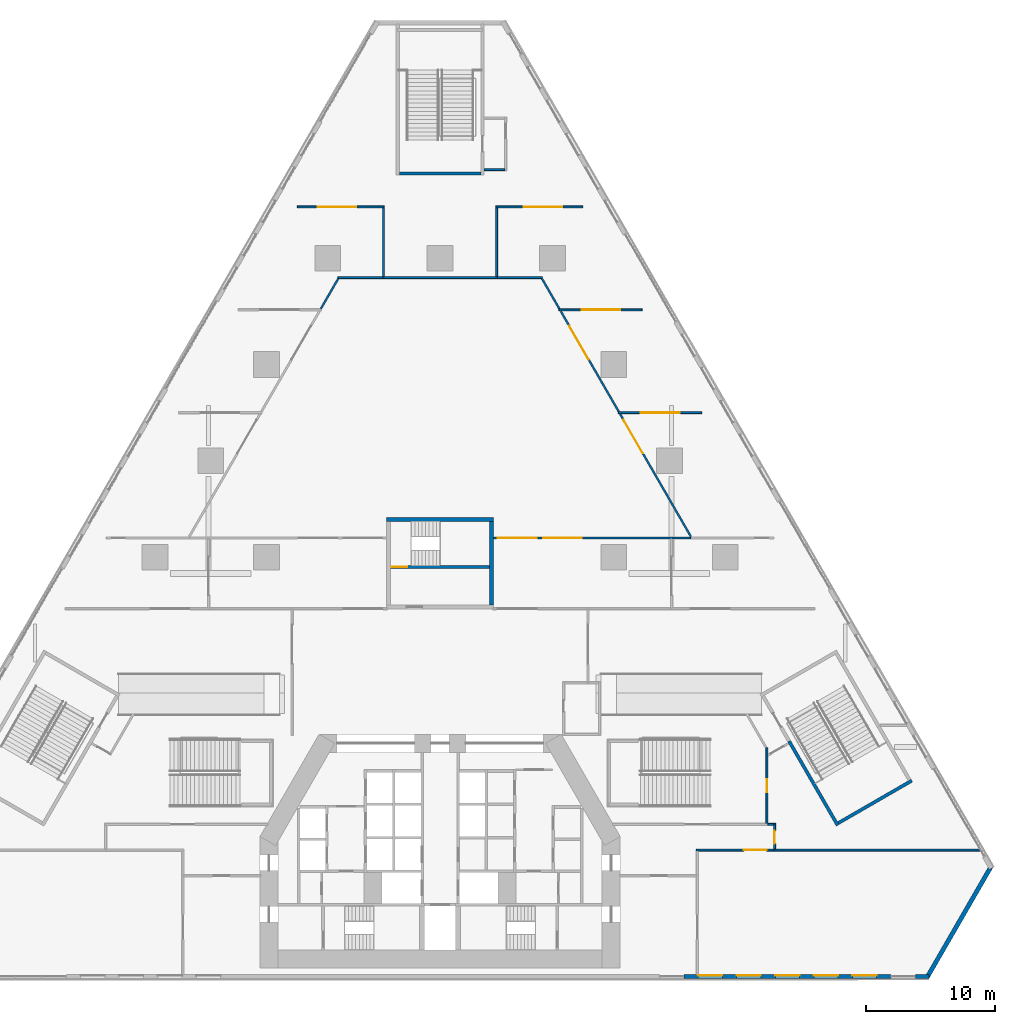
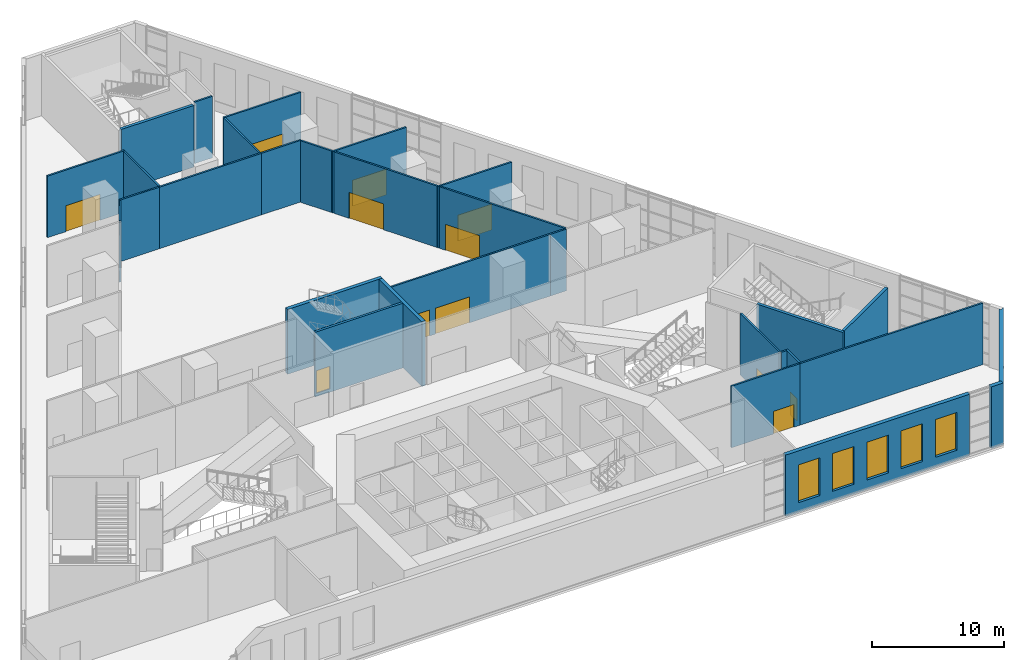
# One storey, part 18 of 27: 30 walls, 12 doors, 5 windows, 17 openings.
"""IFC4 building model written with IfcOpenShell, lengths in metres."""

from ifc_helpers import new_model, si_unit, direction, frame, frame_2d, origin, place, context, subcontext, project, spatial, polyline, rectangle, outline, extrude, material, layer, layer_set, type_object, element, fill, save


model = new_model("IFC4")

# Units and contexts
model_context = context("Model", 3, precision=1e-05, world=origin(), true_north=direction((0.0, 1.0)))
body_context = subcontext(model_context, "Body", "Model", "MODEL_VIEW")
ifc_project = project(units=[si_unit("LENGTHUNIT", "METRE"), si_unit("AREAUNIT", "SQUARE_METRE"), si_unit("VOLUMEUNIT", "CUBIC_METRE"), si_unit("PLANEANGLEUNIT", "RADIAN"), si_unit("MASSUNIT", "GRAM", prefix="KILO")], contexts=[model_context])

# Site, building, storey
site_placement = place(None, origin())
site = spatial("IfcSite", under=ifc_project, at=site_placement, CompositionType="ELEMENT")
building_placement = place(site_placement, origin())
building = spatial("IfcBuilding", under=site, at=building_placement, Name="Fogline Exchange Tower", CompositionType="ELEMENT")
storey_placement = place(building_placement, frame((0.0, 0.0, 8.0)))
storey = spatial("IfcBuildingStorey", under=building, at=storey_placement, Name="L01", CompositionType="ELEMENT", Elevation=8.0)

# Wall, opening, door
ifc_material_1 = material(Name="Concrete C40", Category="concrete")
ifc_layer_1 = layer(ifc_material_1, 0.199951171875)
ifc_layer_set_1 = layer_set([ifc_layer_1], Name="CW20R")
wall_type_1 = type_object("IfcWallType", Name="CW20R", PredefinedType="SOLIDWALL", material=ifc_layer_set_1)
wall_1_placement = place(storey_placement, frame((-3.85009765625, 32.007080078125, -0.300048828125), z_axis=(0.0, 0.0, 1.0), x_axis=(1.0, 0.0, 0.0)))
wall_1 = element("IfcWall", 1, at=wall_1_placement, inside=storey, type_object=wall_type_1, Name="Stair enclosure wall ST3", PredefinedType="SOLIDWALL", context=body_context, shape_type="SweptSolid", body=[
    extrude(rectangle(XDim=7.7001953125, YDim=0.199951171875, at=frame_2d((3.85009765625, 0.0))), origin(), (0.0, 0.0, 1.0), 6.0),
])
opening_1_placement = place(wall_1_placement, frame((0.10009765625, 0.0, 0.300048828125)))
opening_1 = element("IfcOpeningElement", 2, at=opening_1_placement, cuts=wall_1, Name="Opening P01-C023", PredefinedType="OPENING", context=body_context, shape_type="SweptSolid", body=[
    extrude(rectangle(XDim=1.199951171875, YDim=2.10009765625, at=frame_2d((0.60009765625, 1.050048828125))), frame((0.0, 0.10986328125, 0.0), z_axis=(0.0, -1.0, 0.0), x_axis=(1.0, 0.0, 0.0)), (0.0, 0.0, 1.0), 0.219970703125),
])
ifc_material_2 = material(Name="Steel and timber fire door", Category="steel")
door_type_1 = type_object("IfcDoorType", Name="D-ST1", OperationType="SINGLE_SWING_LEFT", PredefinedType="DOOR", material=ifc_material_2)
door_1_placement = place(opening_1_placement, origin())
door_1 = element("IfcDoor", 3, at=door_1_placement, inside=storey, type_object=door_type_1, Name="Stair door ST3", OperationType="SINGLE_SWING_LEFT", OverallHeight=2.10009765625, OverallWidth=1.199951171875, PredefinedType="DOOR", context=body_context, shape_type="SweptSolid", body=[
    extrude(rectangle(XDim=1.199951171875, YDim=2.10009765625, at=frame_2d((0.60009765625, 1.050048828125))), frame((0.0, 0.02490234375, 0.0), z_axis=(0.0, -1.0, 0.0), x_axis=(1.0, 0.0, 0.0)), (0.0, 0.0, 1.0), 0.050048828125),
])
fill(opening_1, door_1)

# Walls
ifc_layer_2 = layer(ifc_material_1, 0.300048828125)
ifc_layer_set_2 = layer_set([ifc_layer_2], Name="CW30")
wall_type_2 = type_object("IfcWallType", Name="CW30", PredefinedType="SOLIDWALL", material=ifc_layer_set_2)
wall_2_placement = place(storey_placement, frame((-4.14990234375, 35.70703125, -0.300048828125), z_axis=(0.0, 0.0, 1.0), x_axis=(1.0, 0.0, 0.0)))
element("IfcWall", 4, at=wall_2_placement, inside=storey, type_object=wall_type_2, Name="Stair enclosure wall ST3", PredefinedType="SOLIDWALL", context=body_context, shape_type="SweptSolid", body=[
    extrude(rectangle(XDim=8.2998046875, YDim=0.300048828125, at=frame_2d((4.14990234375, 0.0))), origin(), (0.0, 0.0, 1.0), 6.0),
])
wall_3_placement = place(storey_placement, frame((4.0, 29.056884765625, -0.300048828125), z_axis=(0.0, 0.0, 1.0), x_axis=(0.0, 1.0, 0.0)))
element("IfcWall", 5, at=wall_3_placement, inside=storey, type_object=wall_type_2, Name="Stair enclosure wall ST3", PredefinedType="SOLIDWALL", context=body_context, shape_type="SweptSolid", body=[
    extrude(rectangle(XDim=6.5, YDim=0.300048828125, at=frame_2d((3.25, 0.0))), origin(), (0.0, 0.0, 1.0), 6.0),
])

# Wall, openings, windows
ifc_material_3 = material(Name="Brick masonry", Category="masonry")
ifc_layer_3 = layer(ifc_material_3, 0.340087890625)
ifc_layer_set_3 = layer_set([ifc_layer_3], Name="FW1")
wall_type_3 = type_object("IfcWallType", Name="FW1", PredefinedType="SOLIDWALL", material=ifc_layer_set_3)
wall_4_placement = place(storey_placement, frame((18.9423828125, 0.169921875, 0.0), z_axis=(0.0, 0.0, 1.0), x_axis=(1.0, 0.0, 0.0)))
wall_4 = element("IfcWall", 6, at=wall_4_placement, inside=storey, type_object=wall_type_3, Name="Brick wall L01 S bay 3", PredefinedType="SOLIDWALL", context=body_context, shape_type="SweptSolid", body=[
    extrude(rectangle(XDim=16.115234375, YDim=0.340087890625, at=frame_2d((8.0576171875, 0.0))), origin(), (0.0, 0.0, 1.0), 5.699951171875),
])
opening_2_placement = place(wall_4_placement, frame((1.114990234375, 0.0, 0.89990234375)))
opening_2 = element("IfcOpeningElement", 7, at=opening_2_placement, cuts=wall_4, Name="Opening W7", PredefinedType="OPENING", context=body_context, shape_type="SweptSolid", body=[
    extrude(rectangle(XDim=1.885009765625, YDim=3.5, at=frame_2d((0.9423828125, 1.75))), frame((0.0, 0.18017578125, 0.0), z_axis=(0.0, -1.0, 0.0), x_axis=(1.0, 0.0, 0.0)), (0.0, 0.0, 1.0), 0.360107421875),
])
opening_3_placement = place(wall_4_placement, frame((4.114990234375, 0.0, 0.89990234375)))
opening_3 = element("IfcOpeningElement", 8, at=opening_3_placement, cuts=wall_4, Name="Opening W7", PredefinedType="OPENING", context=body_context, shape_type="SweptSolid", body=[
    extrude(rectangle(XDim=1.885009765625, YDim=3.5, at=frame_2d((0.9423828125, 1.75))), frame((0.0, 0.18017578125, 0.0), z_axis=(0.0, -1.0, 0.0), x_axis=(1.0, 0.0, 0.0)), (0.0, 0.0, 1.0), 0.360107421875),
])
opening_4_placement = place(wall_4_placement, frame((7.114990234375, 0.0, 0.89990234375)))
opening_4 = element("IfcOpeningElement", 9, at=opening_4_placement, cuts=wall_4, Name="Opening W7", PredefinedType="OPENING", context=body_context, shape_type="SweptSolid", body=[
    extrude(rectangle(XDim=1.885009765625, YDim=3.5, at=frame_2d((0.9423828125, 1.75))), frame((0.0, 0.18017578125, 0.0), z_axis=(0.0, -1.0, 0.0), x_axis=(1.0, 0.0, 0.0)), (0.0, 0.0, 1.0), 0.360107421875),
])
opening_5_placement = place(wall_4_placement, frame((10.114990234375, 0.0, 0.89990234375)))
opening_5 = element("IfcOpeningElement", 10, at=opening_5_placement, cuts=wall_4, Name="Opening W7", PredefinedType="OPENING", context=body_context, shape_type="SweptSolid", body=[
    extrude(rectangle(XDim=1.885009765625, YDim=3.5, at=frame_2d((0.9423828125, 1.75))), frame((0.0, 0.18017578125, 0.0), z_axis=(0.0, -1.0, 0.0), x_axis=(1.0, 0.0, 0.0)), (0.0, 0.0, 1.0), 0.360107421875),
])
opening_6_placement = place(wall_4_placement, frame((13.114990234375, 0.0, 0.89990234375)))
opening_6 = element("IfcOpeningElement", 11, at=opening_6_placement, cuts=wall_4, Name="Opening W7", PredefinedType="OPENING", context=body_context, shape_type="SweptSolid", body=[
    extrude(rectangle(XDim=1.885009765625, YDim=3.5, at=frame_2d((0.9423828125, 1.75))), frame((0.0, 0.18017578125, 0.0), z_axis=(0.0, -1.0, 0.0), x_axis=(1.0, 0.0, 0.0)), (0.0, 0.0, 1.0), 0.360107421875),
])
ifc_material_4 = material(Name="Aluminium and glass", Category="aluminium")
window_type = type_object("IfcWindowType", Name="W7", PartitioningType="SINGLE_PANEL", PredefinedType="WINDOW", material=ifc_material_4)
window_1_placement = place(opening_2_placement, origin())
window_1 = element("IfcWindow", 12, at=window_1_placement, inside=storey, type_object=window_type, Name="W7 W7", OverallHeight=3.5, OverallWidth=1.885009765625, PartitioningType="SINGLE_PANEL", PredefinedType="WINDOW", context=body_context, shape_type="SweptSolid", body=[
    extrude(rectangle(XDim=1.885009765625, YDim=3.5, at=frame_2d((0.9423828125, 1.75))), frame((0.0, 0.110107421875, 0.0), z_axis=(0.0, -1.0, 0.0), x_axis=(1.0, 0.0, 0.0)), (0.0, 0.0, 1.0), 0.06005859375),
])
fill(opening_2, window_1)
window_2_placement = place(opening_3_placement, origin())
window_2 = element("IfcWindow", 13, at=window_2_placement, inside=storey, type_object=window_type, Name="W7 W7", OverallHeight=3.5, OverallWidth=1.885009765625, PartitioningType="SINGLE_PANEL", PredefinedType="WINDOW", context=body_context, shape_type="SweptSolid", body=[
    extrude(rectangle(XDim=1.885009765625, YDim=3.5, at=frame_2d((0.9423828125, 1.75))), frame((0.0, 0.110107421875, 0.0), z_axis=(0.0, -1.0, 0.0), x_axis=(1.0, 0.0, 0.0)), (0.0, 0.0, 1.0), 0.06005859375),
])
fill(opening_3, window_2)
window_3_placement = place(opening_4_placement, origin())
window_3 = element("IfcWindow", 14, at=window_3_placement, inside=storey, type_object=window_type, Name="W7 W7", OverallHeight=3.5, OverallWidth=1.885009765625, PartitioningType="SINGLE_PANEL", PredefinedType="WINDOW", context=body_context, shape_type="SweptSolid", body=[
    extrude(rectangle(XDim=1.885009765625, YDim=3.5, at=frame_2d((0.9423828125, 1.75))), frame((0.0, 0.110107421875, 0.0), z_axis=(0.0, -1.0, 0.0), x_axis=(1.0, 0.0, 0.0)), (0.0, 0.0, 1.0), 0.06005859375),
])
fill(opening_4, window_3)
window_4_placement = place(opening_5_placement, origin())
window_4 = element("IfcWindow", 15, at=window_4_placement, inside=storey, type_object=window_type, Name="W7 W7", OverallHeight=3.5, OverallWidth=1.885009765625, PartitioningType="SINGLE_PANEL", PredefinedType="WINDOW", context=body_context, shape_type="SweptSolid", body=[
    extrude(rectangle(XDim=1.885009765625, YDim=3.5, at=frame_2d((0.9423828125, 1.75))), frame((0.0, 0.110107421875, 0.0), z_axis=(0.0, -1.0, 0.0), x_axis=(1.0, 0.0, 0.0)), (0.0, 0.0, 1.0), 0.06005859375),
])
fill(opening_5, window_4)
window_5_placement = place(opening_6_placement, origin())
window_5 = element("IfcWindow", 16, at=window_5_placement, inside=storey, type_object=window_type, Name="W7 W7", OverallHeight=3.5, OverallWidth=1.885009765625, PartitioningType="SINGLE_PANEL", PredefinedType="WINDOW", context=body_context, shape_type="SweptSolid", body=[
    extrude(rectangle(XDim=1.885009765625, YDim=3.5, at=frame_2d((0.9423828125, 1.75))), frame((0.0, 0.110107421875, 0.0), z_axis=(0.0, -1.0, 0.0), x_axis=(1.0, 0.0, 0.0)), (0.0, 0.0, 1.0), 0.06005859375),
])
fill(opening_6, window_5)

# Walls
wall_5_placement = place(storey_placement, frame((36.9423828125, 0.169921875, 0.0), z_axis=(0.0, 0.0, 1.0), x_axis=(1.0, 0.0, 0.0)))
element("IfcWall", 17, at=wall_5_placement, inside=storey, type_object=wall_type_3, Name="Brick wall L01 S bay 4", PredefinedType="SOLIDWALL", context=body_context, shape_type="SweptSolid", body=[
    extrude(rectangle(XDim=1.0576171875, YDim=0.340087890625, at=frame_2d((0.52880859375, 0.0))), origin(), (0.0, 0.0, 1.0), 5.699951171875),
])
wall_6_placement = place(storey_placement, origin())
element("IfcWall", 18, at=wall_6_placement, inside=storey, type_object=wall_type_3, Name="Brick wall L01 SE-c", PredefinedType="SOLIDWALL", context=body_context, shape_type="SweptSolid", body=[
    extrude(outline(polyline([(37.99951171875, -0.0009765625), (37.99951171875, 0.33935546875), (37.802734375, 0.33935546875), (42.607421875, 8.661376953125), (42.705810546875, 8.490966796875), (43.000732421875, 8.661376953125), (43.0009765625, 8.660888671875), (38.0, -0.001220703125), (37.99951171875, -0.0009765625)])), origin(), (0.0, 0.0, 1.0), 5.699951171875),
])

# Wall, opening, door
ifc_material_5 = material(Name="Plasterboard on steel stud", Category="steel")
ifc_layer_4 = layer(ifc_material_5, 0.14990234375)
ifc_layer_set_4 = layer_set([ifc_layer_4], Name="PP1")
wall_type_4 = type_object("IfcWallType", Name="PP1", PredefinedType="PARTITIONING", material=ifc_layer_set_4)
wall_7_placement = place(storey_placement, frame((19.925048828125, 10.0, 0.0), z_axis=(0.0, 0.0, 1.0), x_axis=(1.0, 0.0, 0.0)))
wall_7 = element("IfcWall", 19, at=wall_7_placement, inside=storey, type_object=wall_type_4, Name="PP1 partition", PredefinedType="PARTITIONING", context=body_context, shape_type="SweptSolid", body=[
    extrude(rectangle(XDim=6.0, YDim=0.14990234375, at=frame_2d((3.0, 0.0))), origin(), (0.0, 0.0, 1.0), 5.699951171875),
])
opening_7_placement = place(wall_7_placement, frame((3.675048828125, 0.0, 0.0)))
opening_7 = element("IfcOpeningElement", 20, at=opening_7_placement, cuts=wall_7, Name="Opening P01-D015", PredefinedType="OPENING", context=body_context, shape_type="SweptSolid", body=[
    extrude(rectangle(XDim=1.800048828125, YDim=2.10009765625, at=frame_2d((0.89990234375, 1.050048828125))), frame((0.0, 0.0849609375, 0.0), z_axis=(0.0, -1.0, 0.0), x_axis=(1.0, 0.0, 0.0)), (0.0, 0.0, 1.0), 0.169921875),
])
ifc_material_6 = material(Name="Timber", Category="wood")
door_type_2 = type_object("IfcDoorType", Name="PD3", OperationType="DOUBLE_DOOR_SINGLE_SWING", PredefinedType="DOOR", material=ifc_material_6)
door_2_placement = place(opening_7_placement, frame((1.800048828125, 0.0, 0.0), z_axis=(0.0, 0.0, 1.0), x_axis=(-1.0, 0.0, 0.0)))
door_2 = element("IfcDoor", 21, at=door_2_placement, inside=storey, type_object=door_type_2, Name="P01-D015", OperationType="DOUBLE_DOOR_SINGLE_SWING", OverallHeight=2.10009765625, OverallWidth=1.800048828125, PredefinedType="DOOR", context=body_context, shape_type="SweptSolid", body=[
    extrude(rectangle(XDim=1.800048828125, YDim=2.10009765625, at=frame_2d((0.89990234375, 1.050048828125))), frame((0.0, 0.02490234375, 0.0), z_axis=(0.0, -1.0, 0.0), x_axis=(1.0, 0.0, 0.0)), (0.0, 0.0, 1.0), 0.050048828125),
])
fill(opening_7, door_2)

# Walls
wall_8_placement = place(storey_placement, frame((25.925048828125, 10.0, 0.0), z_axis=(0.0, 0.0, 1.0), x_axis=(1.0, 0.0, 0.0)))
element("IfcWall", 22, at=wall_8_placement, inside=storey, type_object=wall_type_4, Name="PP1 partition", PredefinedType="PARTITIONING", context=body_context, shape_type="SweptSolid", body=[
    extrude(rectangle(XDim=16.0185546875, YDim=0.14990234375, at=frame_2d((8.00927734375, 0.0))), origin(), (0.0, 0.0, 1.0), 5.699951171875),
])
wall_9_placement = place(storey_placement, frame((25.47509765625, 12.0, 0.0), z_axis=(0.0, 0.0, 1.0), x_axis=(1.0, 0.0, 0.0)))
element("IfcWall", 23, at=wall_9_placement, inside=storey, type_object=wall_type_4, Name="PP1 partition", PredefinedType="PARTITIONING", context=body_context, shape_type="SweptSolid", body=[
    extrude(rectangle(XDim=0.449951171875, YDim=0.14990234375, at=frame_2d((0.22509765625, 0.0))), origin(), (0.0, 0.0, 1.0), 5.699951171875),
])

# Wall, opening, door
wall_10_placement = place(storey_placement, frame((26.0, 12.074951171875, 0.0), z_axis=(0.0, 0.0, 1.0), x_axis=(0.0, -1.0, 0.0)))
wall_10 = element("IfcWall", 24, at=wall_10_placement, inside=storey, type_object=wall_type_4, Name="PP1 partition", PredefinedType="PARTITIONING", context=body_context, shape_type="SweptSolid", body=[
    extrude(rectangle(XDim=2.0, YDim=0.14990234375, at=frame_2d((1.0, 0.0))), origin(), (0.0, 0.0, 1.0), 5.699951171875),
])
opening_8_placement = place(wall_10_placement, frame((0.574951171875, 0.0, 0.0)))
opening_8 = element("IfcOpeningElement", 25, at=opening_8_placement, cuts=wall_10, Name="Opening P01-D017", PredefinedType="OPENING", context=body_context, shape_type="SweptSolid", body=[
    extrude(rectangle(XDim=1.0, YDim=2.10009765625, at=frame_2d((0.5, 1.050048828125))), frame((0.0, 0.0849609375, 0.0), z_axis=(0.0, -1.0, 0.0), x_axis=(1.0, 0.0, 0.0)), (0.0, 0.0, 1.0), 0.169921875),
])
door_type_3 = type_object("IfcDoorType", Name="PD1", OperationType="SINGLE_SWING_LEFT", PredefinedType="DOOR", material=ifc_material_6)
door_3_placement = place(opening_8_placement, origin())
door_3 = element("IfcDoor", 26, at=door_3_placement, inside=storey, type_object=door_type_3, Name="P01-D017", OperationType="SINGLE_SWING_RIGHT", OverallHeight=2.10009765625, OverallWidth=1.0, PredefinedType="DOOR", context=body_context, shape_type="SweptSolid", body=[
    extrude(rectangle(XDim=1.0, YDim=2.10009765625, at=frame_2d((0.5, 1.050048828125))), frame((0.0, 0.02490234375, 0.0), z_axis=(0.0, -1.0, 0.0), x_axis=(1.0, 0.0, 0.0)), (0.0, 0.0, 1.0), 0.050048828125),
])
fill(opening_8, door_3)

wall_11_placement = place(storey_placement, frame((25.39990234375, 17.964599609375, 0.0), z_axis=(0.0, 0.0, 1.0), x_axis=(0.0, -1.0, 0.0)))
wall_11 = element("IfcWall", 27, at=wall_11_placement, inside=storey, type_object=wall_type_4, Name="PP1 partition", PredefinedType="PARTITIONING", context=body_context, shape_type="SweptSolid", body=[
    extrude(rectangle(XDim=5.8896484375, YDim=0.14990234375, at=frame_2d((2.94482421875, 0.0))), origin(), (0.0, 0.0, 1.0), 5.699951171875),
])
opening_9_placement = place(wall_11_placement, frame((2.464599609375, 0.0, 0.0)))
opening_9 = element("IfcOpeningElement", 28, at=opening_9_placement, cuts=wall_11, Name="Opening P01-D016", PredefinedType="OPENING", context=body_context, shape_type="SweptSolid", body=[
    extrude(rectangle(XDim=1.0, YDim=2.10009765625, at=frame_2d((0.5, 1.050048828125))), frame((0.0, 0.0849609375, 0.0), z_axis=(0.0, -1.0, 0.0), x_axis=(1.0, 0.0, 0.0)), (0.0, 0.0, 1.0), 0.169921875),
])
door_4_placement = place(opening_9_placement, origin())
door_4 = element("IfcDoor", 29, at=door_4_placement, inside=storey, type_object=door_type_3, Name="P01-D016", OperationType="SINGLE_SWING_RIGHT", OverallHeight=2.10009765625, OverallWidth=1.0, PredefinedType="DOOR", context=body_context, shape_type="SweptSolid", body=[
    extrude(rectangle(XDim=1.0, YDim=2.10009765625, at=frame_2d((0.5, 1.050048828125))), frame((0.0, 0.02490234375, 0.0), z_axis=(0.0, -1.0, 0.0), x_axis=(1.0, 0.0, 0.0)), (0.0, 0.0, 1.0), 0.050048828125),
])
fill(opening_9, door_4)

# Wall, openings, doors
wall_12_placement = place(storey_placement, frame((18.074951171875, 34.260009765625, 0.0), z_axis=(0.0, 0.0, 1.0), x_axis=(-1.0, 0.0, 0.0)))
wall_12 = element("IfcWall", 30, at=wall_12_placement, inside=storey, type_object=wall_type_4, Name="PP1 partition", PredefinedType="PARTITIONING", context=body_context, shape_type="SweptSolid", body=[
    extrude(rectangle(XDim=13.969970703125, YDim=0.14990234375, at=frame_2d((6.98486328125, 0.0))), origin(), (0.0, 0.0, 1.0), 5.699951171875),
])
opening_10_placement = place(wall_12_placement, frame((7.074951171875, 0.0, 0.0)))
opening_10 = element("IfcOpeningElement", 31, at=opening_10_placement, cuts=wall_12, Name="Opening P01-D035", PredefinedType="OPENING", context=body_context, shape_type="SweptSolid", body=[
    extrude(rectangle(XDim=3.0, YDim=2.39990234375, at=frame_2d((1.5, 1.199951171875))), frame((0.0, 0.0849609375, 0.0), z_axis=(0.0, -1.0, 0.0), x_axis=(1.0, 0.0, 0.0)), (0.0, 0.0, 1.0), 0.169921875),
])
opening_11_placement = place(wall_12_placement, frame((10.574951171875, 0.0, 0.0)))
opening_11 = element("IfcOpeningElement", 32, at=opening_11_placement, cuts=wall_12, Name="Opening P01-D037", PredefinedType="OPENING", context=body_context, shape_type="SweptSolid", body=[
    extrude(rectangle(XDim=3.0, YDim=2.39990234375, at=frame_2d((1.5, 1.199951171875))), frame((0.0, 0.0849609375, 0.0), z_axis=(0.0, -1.0, 0.0), x_axis=(1.0, 0.0, 0.0)), (0.0, 0.0, 1.0), 0.169921875),
])
ifc_material_7 = material(Name="Steel Q235B", Category="steel")
door_type_4 = type_object("IfcDoorType", Name="PD13", OperationType="DOUBLE_DOOR_SINGLE_SWING", PredefinedType="DOOR", material=ifc_material_7)
door_5_placement = place(opening_10_placement, frame((3.0, 0.0, 0.0), z_axis=(0.0, 0.0, 1.0), x_axis=(-1.0, 0.0, 0.0)))
door_5 = element("IfcDoor", 33, at=door_5_placement, inside=storey, type_object=door_type_4, Name="P01-D035", OperationType="DOUBLE_DOOR_SINGLE_SWING", OverallHeight=2.39990234375, OverallWidth=3.0, PredefinedType="DOOR", context=body_context, shape_type="SweptSolid", body=[
    extrude(rectangle(XDim=3.0, YDim=2.39990234375, at=frame_2d((1.5, 1.199951171875))), frame((0.0, 0.02490234375, 0.0), z_axis=(0.0, -1.0, 0.0), x_axis=(1.0, 0.0, 0.0)), (0.0, 0.0, 1.0), 0.050048828125),
])
fill(opening_10, door_5)
door_6_placement = place(opening_11_placement, frame((3.0, 0.0, 0.0), z_axis=(0.0, 0.0, 1.0), x_axis=(-1.0, 0.0, 0.0)))
door_6 = element("IfcDoor", 34, at=door_6_placement, inside=storey, type_object=door_type_4, Name="P01-D037", OperationType="DOUBLE_DOOR_SINGLE_SWING", OverallHeight=2.39990234375, OverallWidth=3.0, PredefinedType="DOOR", context=body_context, shape_type="SweptSolid", body=[
    extrude(rectangle(XDim=3.0, YDim=2.39990234375, at=frame_2d((1.5, 1.199951171875))), frame((0.0, 0.02490234375, 0.0), z_axis=(0.0, -1.0, 0.0), x_axis=(1.0, 0.0, 0.0)), (0.0, 0.0, 1.0), 0.050048828125),
])
fill(opening_11, door_6)

# Wall
wall_13_placement = place(storey_placement, frame((19.484619140625, 34.260009765625, 0.0), z_axis=(0.0, 0.0, 1.0), x_axis=(-1.0, 0.0, 0.0)))
element("IfcWall", 35, at=wall_13_placement, inside=storey, type_object=wall_type_4, Name="PP1 partition", PredefinedType="PARTITIONING", context=body_context, shape_type="SweptSolid", body=[
    extrude(rectangle(XDim=1.40966796875, YDim=0.14990234375, at=frame_2d((0.704833984375, 0.0))), origin(), (0.0, 0.0, 1.0), 5.699951171875),
])

# Wall, opening, door
wall_14_placement = place(storey_placement, frame((14.001220703125, 43.887451171875, 0.0), z_axis=(0.0, 0.0, 1.0), x_axis=(0.500006534994, -0.866021630771, 0.0)))
wall_14 = element("IfcWall", 36, at=wall_14_placement, inside=storey, type_object=wall_type_4, Name="PP1 partition", PredefinedType="PARTITIONING", context=body_context, shape_type="SweptSolid", body=[
    extrude(rectangle(XDim=10.985107421875, YDim=0.14990234375, at=frame_2d((5.49267578125, 0.0))), origin(), (0.0, 0.0, 1.0), 5.699951171875),
])
opening_12_placement = place(wall_14_placement, frame((0.5107421875, 0.0, 0.0)))
opening_12 = element("IfcOpeningElement", 37, at=opening_12_placement, cuts=wall_14, Name="Opening P01-D039", PredefinedType="OPENING", context=body_context, shape_type="SweptSolid", body=[
    extrude(rectangle(XDim=3.0, YDim=2.39990234375, at=frame_2d((1.5, 1.199951171875))), frame((0.0, 0.0849609375, 0.0), z_axis=(0.0, -1.0, 0.0), x_axis=(1.0, 0.0, 0.0)), (0.0, 0.0, 1.0), 0.169921875),
])
door_7_placement = place(opening_12_placement, frame((3.0, 0.0, 0.0), z_axis=(0.0, 0.0, 1.0), x_axis=(-1.0, 0.0, 0.0)))
door_7 = element("IfcDoor", 38, at=door_7_placement, inside=storey, type_object=door_type_4, Name="P01-D039", OperationType="DOUBLE_DOOR_SINGLE_SWING", OverallHeight=2.39990234375, OverallWidth=3.0, PredefinedType="DOOR", context=body_context, shape_type="SweptSolid", body=[
    extrude(rectangle(XDim=3.0, YDim=2.39990234375, at=frame_2d((1.5, 1.199951171875))), frame((0.0, 0.02490234375, 0.0), z_axis=(0.0, -1.0, 0.0), x_axis=(1.0, 0.0, 0.0)), (0.0, 0.0, 1.0), 0.050048828125),
])
fill(opening_12, door_7)

wall_15_placement = place(storey_placement, frame((13.861328125, 44.0, 0.0), z_axis=(0.0, 0.0, 1.0), x_axis=(1.0, 0.0, 0.0)))
wall_15 = element("IfcWall", 39, at=wall_15_placement, inside=storey, type_object=wall_type_4, Name="PP1 partition", PredefinedType="PARTITIONING", context=body_context, shape_type="SweptSolid", body=[
    extrude(rectangle(XDim=6.466064453125, YDim=0.14990234375, at=frame_2d((3.23291015625, 0.0))), origin(), (0.0, 0.0, 1.0), 5.699951171875),
])
opening_13_placement = place(wall_15_placement, frame((1.75048828125, 0.0, 0.0)))
opening_13 = element("IfcOpeningElement", 40, at=opening_13_placement, cuts=wall_15, Name="Opening P01-D023", PredefinedType="OPENING", context=body_context, shape_type="SweptSolid", body=[
    extrude(rectangle(XDim=3.0, YDim=2.39990234375, at=frame_2d((1.5, 1.199951171875))), frame((0.0, 0.0849609375, 0.0), z_axis=(0.0, -1.0, 0.0), x_axis=(1.0, 0.0, 0.0)), (0.0, 0.0, 1.0), 0.169921875),
])
door_8_placement = place(opening_13_placement, origin())
door_8 = element("IfcDoor", 41, at=door_8_placement, inside=storey, type_object=door_type_4, Name="P01-D023", OperationType="DOUBLE_DOOR_SINGLE_SWING", OverallHeight=2.39990234375, OverallWidth=3.0, PredefinedType="DOOR", context=body_context, shape_type="SweptSolid", body=[
    extrude(rectangle(XDim=3.0, YDim=2.39990234375, at=frame_2d((1.5, 1.199951171875))), frame((0.0, 0.02490234375, 0.0), z_axis=(0.0, -1.0, 0.0), x_axis=(1.0, 0.0, 0.0)), (0.0, 0.0, 1.0), 0.050048828125),
])
fill(opening_13, door_8)

wall_16_placement = place(storey_placement, frame((9.382568359375, 51.887451171875, 0.0), z_axis=(0.0, 0.0, 1.0), x_axis=(0.499987617168, -0.866032552898, 0.0)))
wall_16 = element("IfcWall", 42, at=wall_16_placement, inside=storey, type_object=wall_type_4, Name="PP1 partition", PredefinedType="PARTITIONING", context=body_context, shape_type="SweptSolid", body=[
    extrude(rectangle(XDim=9.006103515625, YDim=0.14990234375, at=frame_2d((4.5029296875, 0.0))), origin(), (0.0, 0.0, 1.0), 5.699951171875),
])
opening_14_placement = place(wall_16_placement, frame((1.326416015625, 0.0, 0.0)))
opening_14 = element("IfcOpeningElement", 43, at=opening_14_placement, cuts=wall_16, Name="Opening P01-D041", PredefinedType="OPENING", context=body_context, shape_type="SweptSolid", body=[
    extrude(rectangle(XDim=3.0, YDim=2.39990234375, at=frame_2d((1.5, 1.199951171875))), frame((0.0, 0.0849609375, 0.0), z_axis=(0.0, -1.0, 0.0), x_axis=(1.0, 0.0, 0.0)), (0.0, 0.0, 1.0), 0.169921875),
])
door_9_placement = place(opening_14_placement, frame((3.0, 0.0, 0.0), z_axis=(0.0, 0.0, 1.0), x_axis=(-1.0, 0.0, 0.0)))
door_9 = element("IfcDoor", 44, at=door_9_placement, inside=storey, type_object=door_type_4, Name="P01-D041", OperationType="DOUBLE_DOOR_SINGLE_SWING", OverallHeight=2.39990234375, OverallWidth=3.0, PredefinedType="DOOR", context=body_context, shape_type="SweptSolid", body=[
    extrude(rectangle(XDim=3.0, YDim=2.39990234375, at=frame_2d((1.5, 1.199951171875))), frame((0.0, 0.02490234375, 0.0), z_axis=(0.0, -1.0, 0.0), x_axis=(1.0, 0.0, 0.0)), (0.0, 0.0, 1.0), 0.050048828125),
])
fill(opening_14, door_9)

wall_17_placement = place(storey_placement, frame((9.242431640625, 52.0, 0.0), z_axis=(0.0, 0.0, 1.0), x_axis=(1.0, 0.0, 0.0)))
wall_17 = element("IfcWall", 45, at=wall_17_placement, inside=storey, type_object=wall_type_4, Name="PP1 partition", PredefinedType="PARTITIONING", context=body_context, shape_type="SweptSolid", body=[
    extrude(rectangle(XDim=6.46630859375, YDim=0.14990234375, at=frame_2d((3.233154296875, 0.0))), origin(), (0.0, 0.0, 1.0), 5.699951171875),
])
opening_15_placement = place(wall_17_placement, frame((1.75048828125, 0.0, 0.0)))
opening_15 = element("IfcOpeningElement", 46, at=opening_15_placement, cuts=wall_17, Name="Opening P01-D025", PredefinedType="OPENING", context=body_context, shape_type="SweptSolid", body=[
    extrude(rectangle(XDim=3.0, YDim=2.39990234375, at=frame_2d((1.5, 1.199951171875))), frame((0.0, 0.0849609375, 0.0), z_axis=(0.0, -1.0, 0.0), x_axis=(1.0, 0.0, 0.0)), (0.0, 0.0, 1.0), 0.169921875),
])
door_10_placement = place(opening_15_placement, frame((3.0, 0.0, 0.0), z_axis=(0.0, 0.0, 1.0), x_axis=(-1.0, 0.0, 0.0)))
door_10 = element("IfcDoor", 47, at=door_10_placement, inside=storey, type_object=door_type_4, Name="P01-D025", OperationType="DOUBLE_DOOR_SINGLE_SWING", OverallHeight=2.39990234375, OverallWidth=3.0, PredefinedType="DOOR", context=body_context, shape_type="SweptSolid", body=[
    extrude(rectangle(XDim=3.0, YDim=2.39990234375, at=frame_2d((1.5, 1.199951171875))), frame((0.0, 0.02490234375, 0.0), z_axis=(0.0, -1.0, 0.0), x_axis=(1.0, 0.0, 0.0)), (0.0, 0.0, 1.0), 0.050048828125),
])
fill(opening_15, door_10)

# Walls
for number, where, z_axis, x_axis, name in (
    (48, (-9.2666015625, 52.087890625, 0.0), (0.0, 0.0, 1.0), (0.499906209203, 0.866079547155, 0.0), "PP1 partition"),
    (49, (7.925048828125, 54.412109375, 0.0), (0.0, 0.0, 1.0), (0.499906209203, -0.866079547155, 0.0), "PP1 partition"),
):
    element("IfcWall", number, at=place(storey_placement, frame(where, z_axis=z_axis, x_axis=x_axis)), inside=storey, type_object=wall_type_4, Name=name, PredefinedType="PARTITIONING", context=body_context, shape_type="SweptSolid", body=[
        extrude(rectangle(XDim=2.68359375, YDim=0.14990234375, at=frame_2d((1.341796875, 0.0))), origin(), (0.0, 0.0, 1.0), 5.699951171875),
    ])
wall_18_placement = place(storey_placement, frame((-7.94921875, 54.5, 0.0), z_axis=(0.0, 0.0, 1.0), x_axis=(1.0, 0.0, 0.0)))
element("IfcWall", 50, at=wall_18_placement, inside=storey, type_object=wall_type_4, Name="PP1 partition", PredefinedType="PARTITIONING", context=body_context, shape_type="SweptSolid", body=[
    extrude(rectangle(XDim=3.47412109375, YDim=0.14990234375, at=frame_2d((1.737060546875, 0.0))), origin(), (0.0, 0.0, 1.0), 5.699951171875),
])
wall_19_placement = place(storey_placement, frame((-4.47509765625, 54.5, 0.0), z_axis=(0.0, 0.0, 1.0), x_axis=(1.0, 0.0, 0.0)))
element("IfcWall", 51, at=wall_19_placement, inside=storey, type_object=wall_type_4, Name="PP1 partition", PredefinedType="PARTITIONING", context=body_context, shape_type="SweptSolid", body=[
    extrude(rectangle(XDim=8.9501953125, YDim=0.14990234375, at=frame_2d((4.47509765625, 0.0))), origin(), (0.0, 0.0, 1.0), 5.699951171875),
])
wall_20_placement = place(storey_placement, frame((4.47509765625, 54.5, 0.0), z_axis=(0.0, 0.0, 1.0), x_axis=(1.0, 0.0, 0.0)))
element("IfcWall", 52, at=wall_20_placement, inside=storey, type_object=wall_type_4, Name="PP1 partition", PredefinedType="PARTITIONING", context=body_context, shape_type="SweptSolid", body=[
    extrude(rectangle(XDim=3.47412109375, YDim=0.14990234375, at=frame_2d((1.737060546875, 0.0))), origin(), (0.0, 0.0, 1.0), 5.699951171875),
])
for number, where, z_axis, x_axis, name in (
    (53, (4.39990234375, 54.574951171875, 0.0), (0.0, 0.0, 1.0), (0.0, 1.0, 0.0), "PP1 partition"),
    (54, (-4.39990234375, 59.925048828125, 0.0), (0.0, 0.0, 1.0), (0.0, -1.0, 0.0), "PP1 partition"),
):
    element("IfcWall", number, at=place(storey_placement, frame(where, z_axis=z_axis, x_axis=x_axis)), inside=storey, type_object=wall_type_4, Name=name, PredefinedType="PARTITIONING", context=body_context, shape_type="SweptSolid", body=[
        extrude(rectangle(XDim=5.35009765625, YDim=0.14990234375, at=frame_2d((2.675048828125, 0.0))), origin(), (0.0, 0.0, 1.0), 5.699951171875),
    ])

# Wall, opening, door
wall_21_placement = place(storey_placement, frame((-11.10205078125, 60.0, 0.0), z_axis=(0.0, 0.0, 1.0), x_axis=(1.0, 0.0, 0.0)))
wall_21 = element("IfcWall", 55, at=wall_21_placement, inside=storey, type_object=wall_type_4, Name="PP1 partition", PredefinedType="PARTITIONING", context=body_context, shape_type="SweptSolid", body=[
    extrude(rectangle(XDim=6.777099609375, YDim=0.14990234375, at=frame_2d((3.388671875, 0.0))), origin(), (0.0, 0.0, 1.0), 5.699951171875),
])
opening_16_placement = place(wall_21_placement, frame((1.60205078125, 0.0, 0.0)))
opening_16 = element("IfcOpeningElement", 56, at=opening_16_placement, cuts=wall_21, Name="Opening P01-D020", PredefinedType="OPENING", context=body_context, shape_type="SweptSolid", body=[
    extrude(rectangle(XDim=3.0, YDim=2.39990234375, at=frame_2d((1.5, 1.199951171875))), frame((0.0, 0.0849609375, 0.0), z_axis=(0.0, -1.0, 0.0), x_axis=(1.0, 0.0, 0.0)), (0.0, 0.0, 1.0), 0.169921875),
])
door_11_placement = place(opening_16_placement, frame((3.0, 0.0, 0.0), z_axis=(0.0, 0.0, 1.0), x_axis=(-1.0, 0.0, 0.0)))
door_11 = element("IfcDoor", 57, at=door_11_placement, inside=storey, type_object=door_type_4, Name="P01-D020", OperationType="DOUBLE_DOOR_SINGLE_SWING", OverallHeight=2.39990234375, OverallWidth=3.0, PredefinedType="DOOR", context=body_context, shape_type="SweptSolid", body=[
    extrude(rectangle(XDim=3.0, YDim=2.39990234375, at=frame_2d((1.5, 1.199951171875))), frame((0.0, 0.02490234375, 0.0), z_axis=(0.0, -1.0, 0.0), x_axis=(1.0, 0.0, 0.0)), (0.0, 0.0, 1.0), 0.050048828125),
])
fill(opening_16, door_11)

wall_22_placement = place(storey_placement, frame((4.324951171875, 60.0, 0.0), z_axis=(0.0, 0.0, 1.0), x_axis=(1.0, 0.0, 0.0)))
wall_22 = element("IfcWall", 58, at=wall_22_placement, inside=storey, type_object=wall_type_4, Name="PP1 partition", PredefinedType="PARTITIONING", context=body_context, shape_type="SweptSolid", body=[
    extrude(rectangle(XDim=6.777099609375, YDim=0.14990234375, at=frame_2d((3.388671875, 0.0))), origin(), (0.0, 0.0, 1.0), 5.699951171875),
])
opening_17_placement = place(wall_22_placement, frame((2.175048828125, 0.0, 0.0)))
opening_17 = element("IfcOpeningElement", 59, at=opening_17_placement, cuts=wall_22, Name="Opening P01-D021", PredefinedType="OPENING", context=body_context, shape_type="SweptSolid", body=[
    extrude(rectangle(XDim=3.0, YDim=2.39990234375, at=frame_2d((1.5, 1.199951171875))), frame((0.0, 0.0849609375, 0.0), z_axis=(0.0, -1.0, 0.0), x_axis=(1.0, 0.0, 0.0)), (0.0, 0.0, 1.0), 0.169921875),
])
door_12_placement = place(opening_17_placement, frame((3.0, 0.0, 0.0), z_axis=(0.0, 0.0, 1.0), x_axis=(-1.0, 0.0, 0.0)))
door_12 = element("IfcDoor", 60, at=door_12_placement, inside=storey, type_object=door_type_4, Name="P01-D021", OperationType="DOUBLE_DOOR_SINGLE_SWING", OverallHeight=2.39990234375, OverallWidth=3.0, PredefinedType="DOOR", context=body_context, shape_type="SweptSolid", body=[
    extrude(rectangle(XDim=3.0, YDim=2.39990234375, at=frame_2d((1.5, 1.199951171875))), frame((0.0, 0.02490234375, 0.0), z_axis=(0.0, -1.0, 0.0), x_axis=(1.0, 0.0, 0.0)), (0.0, 0.0, 1.0), 0.050048828125),
])
fill(opening_17, door_12)

# Walls
wall_23_placement = place(storey_placement, frame((5.02490234375, 62.89990234375, 0.0), z_axis=(0.0, 0.0, 1.0), x_axis=(-1.0, 0.0, 0.0)))
element("IfcWall", 61, at=wall_23_placement, inside=storey, type_object=wall_type_4, Name="PP1 partition", PredefinedType="PARTITIONING", context=body_context, shape_type="SweptSolid", body=[
    extrude(rectangle(XDim=1.599853515625, YDim=0.14990234375, at=frame_2d((0.7998046875, 0.0))), origin(), (0.0, 0.0, 1.0), 5.699951171875),
])
ifc_layer_5 = layer(ifc_material_1, 0.25)
ifc_layer_set_5 = layer_set([ifc_layer_5], Name="PP3")
wall_type_5 = type_object("IfcWallType", Name="PP3", PredefinedType="SOLIDWALL", material=ifc_layer_set_5)
wall_24_placement = place(storey_placement, frame((30.906982421875, 11.926513671875, 0.0), z_axis=(0.0, 0.0, 1.0), x_axis=(-0.499985572004, 0.866033733632, 0.0)))
element("IfcWall", 62, at=wall_24_placement, inside=storey, type_object=wall_type_5, Name="PP3 bearing wall", PredefinedType="SOLIDWALL", context=body_context, shape_type="SweptSolid", body=[
    extrude(rectangle(XDim=7.550048828125, YDim=0.25, at=frame_2d((3.77490234375, 0.0))), origin(), (0.0, 0.0, 1.0), 5.699951171875),
])
wall_25_placement = place(storey_placement, frame((36.66845703125, 15.397216796875, 0.0), z_axis=(0.0, 0.0, 1.0), x_axis=(-0.866040211805, -0.499974350878, 0.0)))
element("IfcWall", 63, at=wall_25_placement, inside=storey, type_object=wall_type_5, Name="PP3 bearing wall", PredefinedType="SOLIDWALL", context=body_context, shape_type="SweptSolid", body=[
    extrude(rectangle(XDim=6.599853515625, YDim=0.25, at=frame_2d((3.2998046875, 0.0))), origin(), (0.0, 0.0, 1.0), 5.699951171875),
])
wall_26_placement = place(storey_placement, frame((3.175048828125, 62.60009765625, 0.0), z_axis=(0.0, 0.0, 1.0), x_axis=(-1.0, 0.0, 0.0)))
element("IfcWall", 64, at=wall_26_placement, inside=storey, type_object=wall_type_5, Name="PP3 bearing wall", PredefinedType="SOLIDWALL", context=body_context, shape_type="SweptSolid", body=[
    extrude(rectangle(XDim=6.35009765625, YDim=0.25, at=frame_2d((3.175048828125, 0.0))), origin(), (0.0, 0.0, 1.0), 5.699951171875),
])

save(model, "model.ifc")
